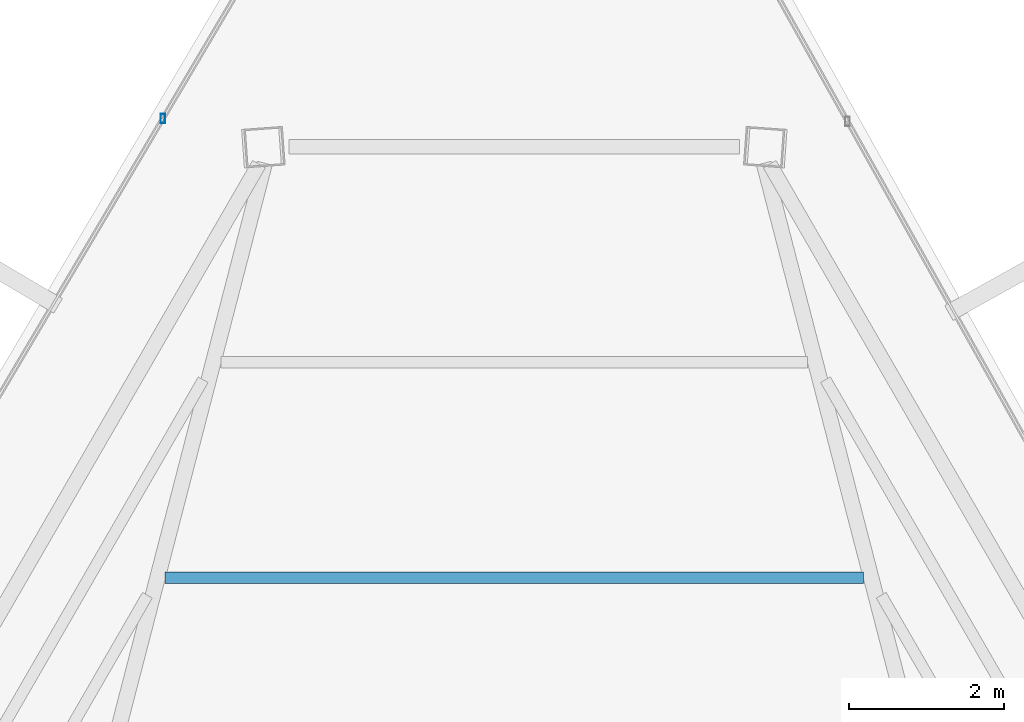
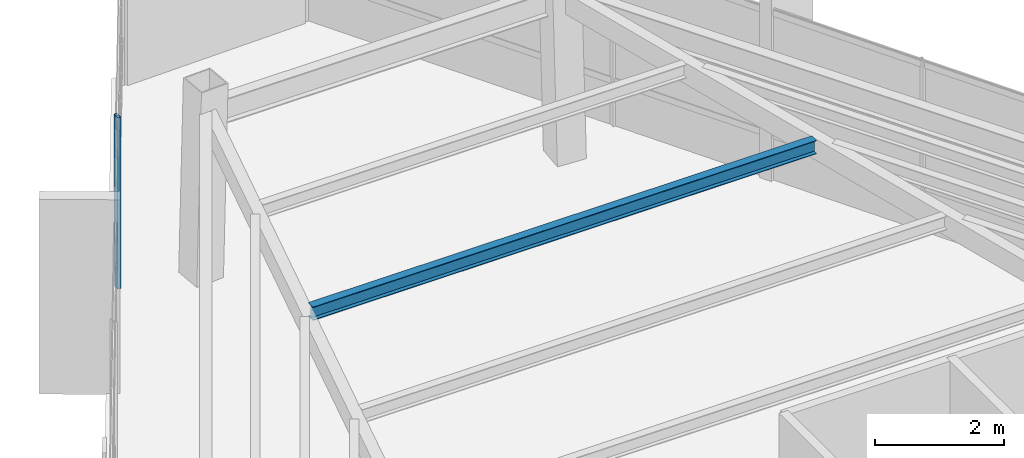
# One storey, part 34 of 44: 1 beam, 1 member, 1 element without a shape of its own.
"""IFC4 building model written with IfcOpenShell, lengths in metres."""

from ifc_helpers import new_model, si_unit, direction, frame, origin, origin_2d, place, context, subcontext, project, spatial, hollow_rectangle, i_section, extrude, source, transform, mapped, material, material_profile, profile_set, type_object, type_shapes, element, aggregate, save


model = new_model("IFC4")

# Units and contexts
model_context = context("Model", 3, precision=1e-05, world=origin(), true_north=direction((0.0, 1.0)))
body_context = subcontext(model_context, "Body", "Model", "MODEL_VIEW")
ifc_project = project(units=[si_unit("LENGTHUNIT", "METRE"), si_unit("AREAUNIT", "SQUARE_METRE"), si_unit("VOLUMEUNIT", "CUBIC_METRE"), si_unit("PLANEANGLEUNIT", "RADIAN"), si_unit("MASSUNIT", "GRAM", prefix="KILO")], contexts=[model_context])

# Site, building, storey
site_placement = place(None, origin())
site = spatial("IfcSite", under=ifc_project, at=site_placement, CompositionType="ELEMENT")
building_placement = place(site_placement, origin())
building = spatial("IfcBuilding", under=site, at=building_placement, Name="Caelisora Broadcast Tower", CompositionType="ELEMENT")
storey_placement = place(building_placement, frame((0.0, 0.0, 280.949951171875)))
storey = spatial("IfcBuildingStorey", under=building, at=storey_placement, Name="L74", CompositionType="ELEMENT", Elevation=280.949951171875)

# Beam
ifc_material_1 = material(Name="Steel Grade 350 (AS/NZS 3679.1)", Category="steel")
ifc_material_profile_1 = material_profile(ifc_material_1, i_section(OverallWidth=0.14599609375, OverallDepth=0.256103515625, WebThickness=0.00634765625, FlangeThickness=0.010986328125, at=origin_2d()), Name="Steel Grade 350 (AS/NZS 3679.1)")
ifc_profile_set_1 = profile_set([ifc_material_profile_1], Name="Steel Grade 350 (AS/NZS 3679.1)")
beam_type = type_object("IfcBeamType", Name="SB04", PredefinedType="JOIST", material=ifc_profile_set_1)
shared_shape_1 = source(origin(), body_context, "Body", "SweptSolid", [
    extrude(i_section(OverallWidth=0.14599609375, OverallDepth=0.256103515625, WebThickness=0.00634765625, FlangeThickness=0.010986328125, at=origin_2d()), origin(), (0.0, 0.0, 1.0), 9.029296875),
])
type_shapes(beam_type, [shared_shape_1])
beam_placement = place(storey_placement, frame((42.5146484375, 41.1494140625, 3.1220703125), z_axis=(-1.0, 0.0, 0.0), x_axis=(0.0, -1.0, 0.0)))
element("IfcBeam", 1, at=beam_placement, inside=storey, type_object=beam_type, Name="L74 beam SB04", PredefinedType="JOIST", context=body_context, shape_type="MappedRepresentation", body=[
    mapped(shared_shape_1, transform((0.0, 0.0, 0.0), scale=1.0)),
])

# Curtain wall, member
ifc_material_2 = material(Name="Unitised Aluminium and Low-E Glass Curtain Wall", Category="glass")
curtain_wall_type = type_object("IfcCurtainWallType", Name="CW-Z5", PredefinedType="NOTDEFINED", material=ifc_material_2)
curtain_wall_placement = place(storey_placement, origin())
curtain_wall = element("IfcCurtainWall", 2, at=curtain_wall_placement, inside=storey, type_object=curtain_wall_type, Name="L74 curtain wall CW-Z5", PredefinedType="NOTDEFINED")
ifc_material_3 = material(Name="Aluminium 6063-T6 Anodised Terracotta Bronze", Category="aluminium")
ifc_material_profile_2 = material_profile(ifc_material_3, hollow_rectangle(XDim=0.06005859375, YDim=0.1201171875, WallThickness=0.0029296875, at=origin_2d()), Name="Aluminium 6063-T6 Anodised Terracotta Bronze")
ifc_profile_set_2 = profile_set([ifc_material_profile_2], Name="Aluminium 6063-T6 Anodised Terracotta Bronze")
member_type = type_object("IfcMemberType", Name="CWM-04", PredefinedType="MULLION", material=ifc_profile_set_2)
shared_shape_2 = source(origin(), body_context, "Body", "SweptSolid", [
    extrude(hollow_rectangle(XDim=0.06005859375, YDim=0.1201171875, WallThickness=0.0029296875, at=origin_2d()), origin(), (0.0, 0.0, 1.0), 3.25),
])
type_shapes(member_type, [shared_shape_2])
member_placement = place(storey_placement, frame((33.455322265625, 47.089111328125, 0.0), z_axis=(0.0, 0.0, 1.0), x_axis=(1.0, 0.0, 0.0)))
member = element("IfcMember", 3, at=member_placement, type_object=member_type, Name="L74-CW-B11 mullion #2", PredefinedType="MULLION", context=body_context, shape_type="MappedRepresentation", body=[
    mapped(shared_shape_2, transform((0.0, 0.0, 0.0), scale=1.0)),
])
aggregate(curtain_wall, [member])

save(model, "model.ifc")
